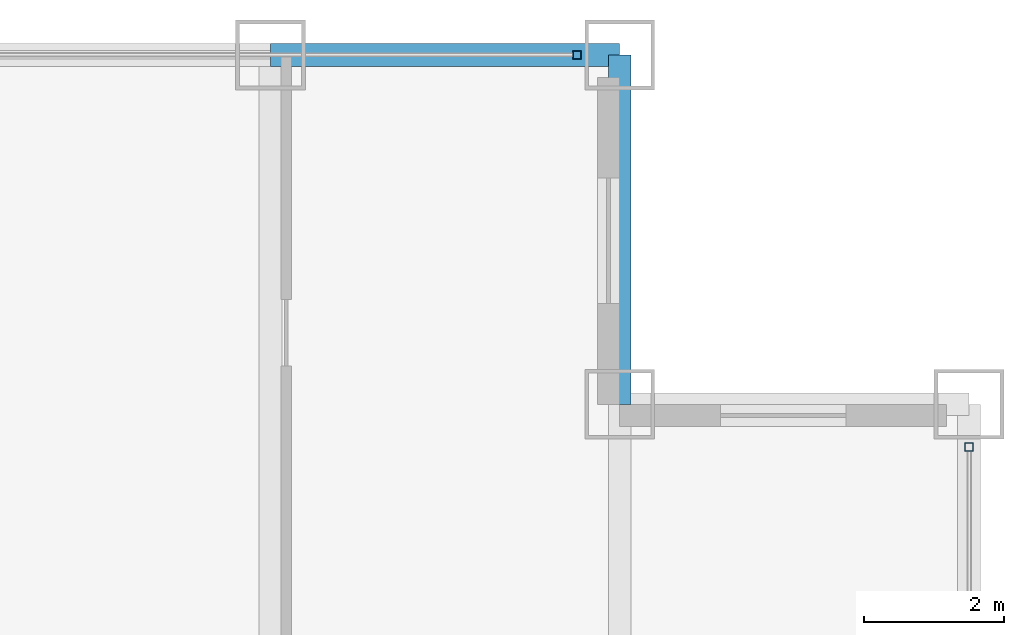
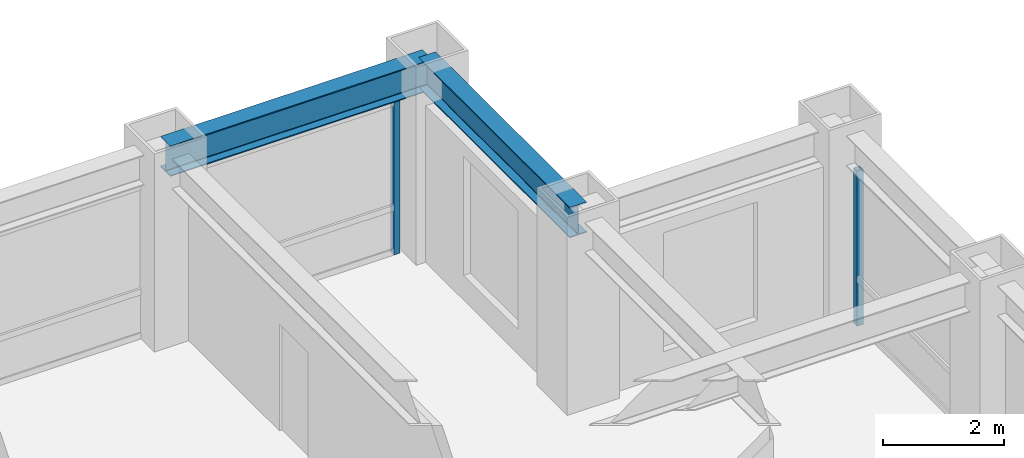
# One storey, part 18 of 25: 2 beams, 2 members, 2 elements without a shape of their own.
"""IFC4 building model written with IfcOpenShell, lengths in metres."""

from ifc_helpers import new_model, si_unit, direction, frame, origin, origin_2d, place, context, subcontext, project, spatial, hollow_rectangle, i_section, extrude, source, transform, mapped, material, material_profile, profile_set, type_object, element, aggregate, save


model = new_model("IFC4")

# Units and contexts
model_context = context("Model", 3, precision=1e-05, world=origin(), true_north=direction((0.0, 1.0)))
body_context = subcontext(model_context, "Body", "Model", "MODEL_VIEW")
ifc_project = project(units=[si_unit("LENGTHUNIT", "METRE"), si_unit("AREAUNIT", "SQUARE_METRE"), si_unit("VOLUMEUNIT", "CUBIC_METRE"), si_unit("PLANEANGLEUNIT", "RADIAN"), si_unit("MASSUNIT", "GRAM", prefix="KILO")], contexts=[model_context])

# Site, building, storey
site_placement = place(None, origin())
site = spatial("IfcSite", under=ifc_project, at=site_placement, CompositionType="ELEMENT")
building_placement = place(site_placement, origin())
building = spatial("IfcBuilding", under=site, at=building_placement, Name="Khorayat Bourse Tower", CompositionType="ELEMENT")
storey_placement = place(building_placement, frame((0.0, 0.0, 251.10009765625)))
storey = spatial("IfcBuildingStorey", under=building, at=storey_placement, Name="L59", CompositionType="ELEMENT", Elevation=251.10009765625)

# Beams
ifc_material_1 = material(Name="Steel ASTM A992 Grade 50", Category="steel")
ifc_material_profile_1 = material_profile(ifc_material_1, i_section(OverallWidth=0.324951171875, OverallDepth=0.615966796875, WebThickness=0.013916015625, FlangeThickness=0.021484375, FilletRadius=0.01611328125, at=origin_2d()), Name="W610X174")
ifc_profile_set_1 = profile_set([ifc_material_profile_1], Name="Steel ASTM A992 Grade 50")
beam_type = type_object("IfcBeamType", Name="BM-SPAN-610", PredefinedType="SPANDREL", material=ifc_profile_set_1)
shared_shape_1 = source(origin(), body_context, "Body", "SweptSolid", [
    extrude(i_section(OverallWidth=0.324951171875, OverallDepth=0.615966796875, WebThickness=0.013916015625, FlangeThickness=0.021484375, FilletRadius=0.01611328125, at=origin_2d()), origin(), (0.0, 0.0, 1.0), 5.0),
])
for number, where, z_axis, x_axis, name in (
    (1, (25.0, 25.0, 3.471923828125), (0.0, 1.0, 0.0), (-1.0, 0.0, 0.0), "L59 BM-SPAN-610 BM-L59-SPN-043"),
    (2, (20.0, 30.0, 3.471923828125), (1.0, 0.0, 0.0), (0.0, 1.0, 0.0), "L59 BM-SPAN-610 BM-L59-SPN-044"),
):
    element("IfcBeam", number, at=place(storey_placement, frame(where, z_axis=z_axis, x_axis=x_axis)), inside=storey, type_object=beam_type, Name=name, PredefinedType="SPANDREL", context=body_context, shape_type="MappedRepresentation", body=[
        mapped(shared_shape_1, transform((0.0, 0.0, 0.0), scale=1.0)),
    ])

# Curtain wall, member
ifc_material_2 = material(Name="Aluminium EN AW-6063 T6", Category="aluminium")
curtain_wall_type = type_object("IfcCurtainWallType", Name="CW-SYS-03", PredefinedType="NOTDEFINED", material=ifc_material_2)
curtain_wall_1_placement = place(storey_placement, origin())
curtain_wall_1 = element("IfcCurtainWall", 3, at=curtain_wall_1_placement, inside=storey, type_object=curtain_wall_type, Name="L59 Curtain Wall CW-L59-N1", PredefinedType="NOTDEFINED")
ifc_material_profile_2 = material_profile(ifc_material_2, hollow_rectangle(XDim=0.1201171875, YDim=0.1201171875, WallThickness=0.0048828125, at=origin_2d()), Name="ALU 120x120x5")
ifc_profile_set_2 = profile_set([ifc_material_profile_2], Name="Aluminium EN AW-6063 T6")
member_type = type_object("IfcMemberType", Name="CWM-VERT-120", PredefinedType="MULLION", material=ifc_profile_set_2)
shared_shape_2 = source(origin(), body_context, "Body", "SweptSolid", [
    extrude(hollow_rectangle(XDim=0.1201171875, YDim=0.1201171875, WallThickness=0.0048828125, at=origin_2d()), origin(), (0.0, 0.0, 1.0), 3.1298828125),
])
member_1_placement = place(storey_placement, frame((24.389892578125, 30.0, 0.0), z_axis=(0.0, 0.0, 1.0), x_axis=(0.0, 1.0, 0.0)))
member_1 = element("IfcMember", 4, at=member_1_placement, type_object=member_type, Name="CW-L59-N1 Vertical Mullion 3", PredefinedType="MULLION", context=body_context, shape_type="MappedRepresentation", body=[
    mapped(shared_shape_2, transform((0.0, 0.0, 0.0), scale=1.0)),
])
aggregate(curtain_wall_1, [member_1])

curtain_wall_2_placement = place(storey_placement, origin())
curtain_wall_2 = element("IfcCurtainWall", 5, at=curtain_wall_2_placement, inside=storey, type_object=curtain_wall_type, Name="L59 Curtain Wall CW-L59-E1", PredefinedType="NOTDEFINED")
member_2_placement = place(storey_placement, frame((30.0, 24.389892578125, 0.0), z_axis=(0.0, 0.0, 1.0), x_axis=(-1.0, 0.0, 0.0)))
member_2 = element("IfcMember", 6, at=member_2_placement, type_object=member_type, Name="CW-L59-E1 Vertical Mullion 3", PredefinedType="MULLION", context=body_context, shape_type="MappedRepresentation", body=[
    mapped(shared_shape_2, transform((0.0, 0.0, 0.0), scale=1.0)),
])
aggregate(curtain_wall_2, [member_2])

save(model, "model.ifc")
